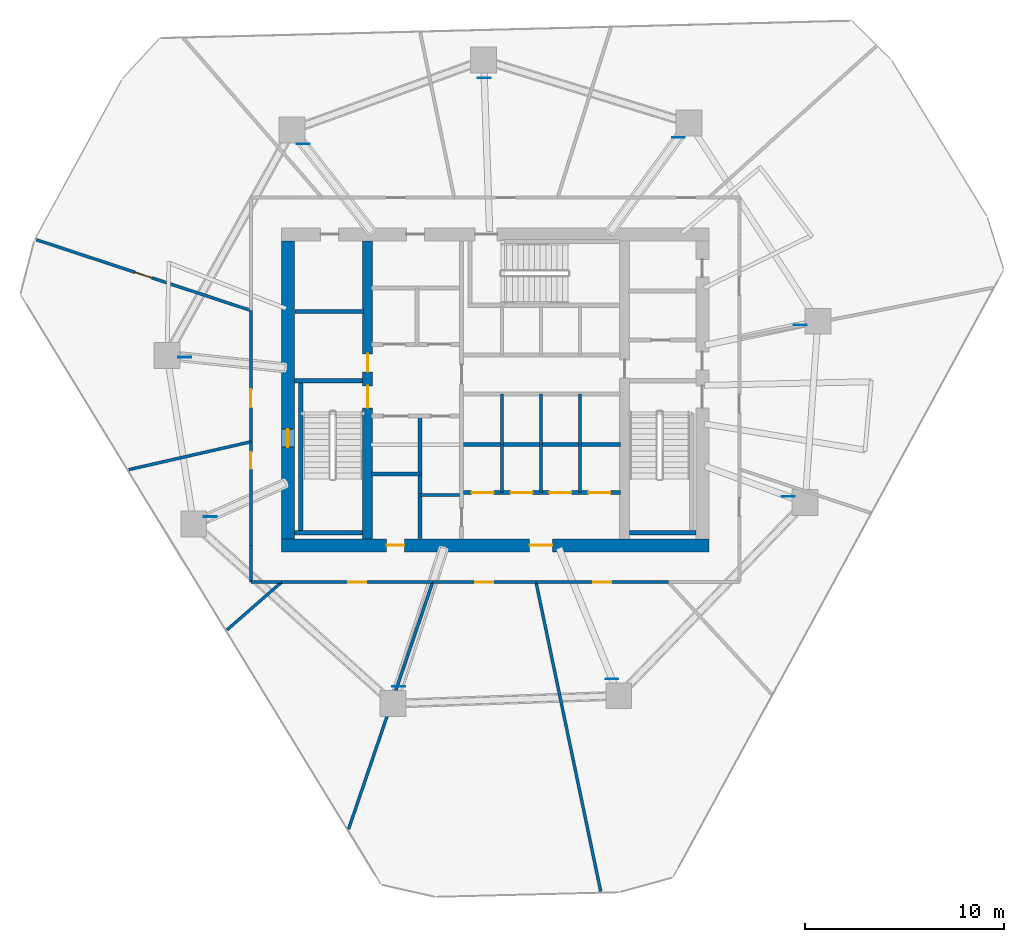
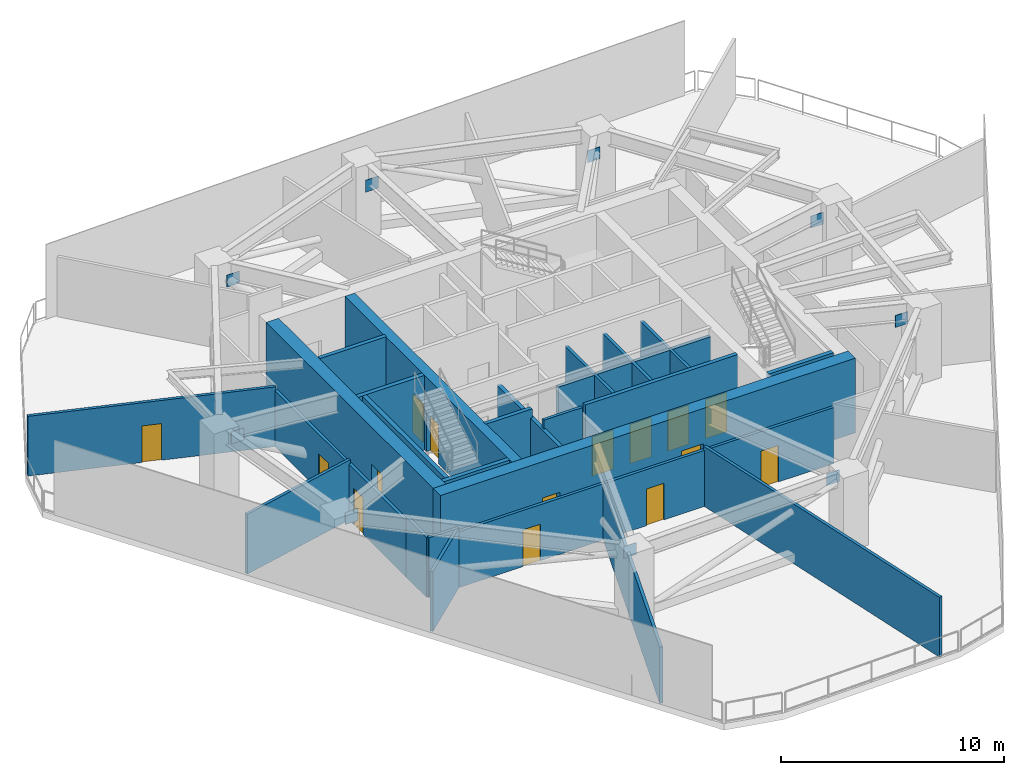
# One storey, part 3 of 7: 31 walls, 15 doors, 9 plates, 15 openings.
"""IFC4 building model written with IfcOpenShell, lengths in metres."""

import ifcopenshell
import ifcopenshell.guid

model = None  # the IFC model being written
_history = None  # IfcOwnerHistory: only IFC2X3 demands one
_inside = {}  # id of a spatial element -> (the spatial element, [elements in it])
_under = {}  # id of a project, library or spatial element -> (it, [spatial elements below it])
_declared = {}  # id of a project -> (the project, [libraries it declares])
_typed = {}  # id of a type object -> (the type object, [elements of that type])
_made_of = {}  # id of a material, layer set ... -> (it, [elements and type objects made of it])


def new_model(schema):
    """Start an empty IFC model of exactly this schema.

    Asked for "IFC4X3", IfcOpenShell would pick the latest addendum, in which some entities
    have other attributes; the version numbers below select the first issue.
    IFC2X3 requires an IfcOwnerHistory on every rooted entity: one is made here for all.
    """
    global model, _history
    if schema == "IFC4X3":
        model = ifcopenshell.file(schema_version=(4, 3, 0, 0))
    else:
        model = ifcopenshell.file(schema=schema)
    _inside.clear()
    _under.clear()
    _declared.clear()
    _typed.clear()
    _made_of.clear()
    _history = None
    if model.schema == "IFC2X3":
        org = make("IfcOrganization", Name="unknown")
        user = make(
            "IfcPersonAndOrganization",
            ThePerson=make("IfcPerson", FamilyName="unknown"),
            TheOrganization=org,
        )
        app = make(
            "IfcApplication",
            ApplicationDeveloper=org,
            Version="unknown",
            ApplicationFullName="unknown",
            ApplicationIdentifier="unknown",
        )
        _history = make(
            "IfcOwnerHistory",
            OwningUser=user,
            OwningApplication=app,
            ChangeAction="ADDED",
            CreationDate=0,
        )
    return model


def make(cls, **values):
    """One entity of the class cls with the attributes given. An attribute that is None is left unset."""
    return model.create_entity(
        cls, **{name: value for name, value in values.items() if value is not None}
    )


def rooted(cls, **values):
    """An entity with a GlobalId (a new one), such as an element, a storey or a relation."""
    return make(cls, GlobalId=ifcopenshell.guid.new(), OwnerHistory=_history, **values)


def si_unit(unit_type, name, prefix=None):
    """IfcSIUnit, for example si_unit("LENGTHUNIT", "METRE", prefix="MILLI")."""
    return make("IfcSIUnit", UnitType=unit_type, Prefix=prefix, Name=name)


def assignment(units):
    """IfcUnitAssignment: the units of a project."""
    return None if units is None else make("IfcUnitAssignment", Units=units)


def point(xyz):
    """IfcCartesianPoint."""
    return None if xyz is None else make("IfcCartesianPoint", Coordinates=xyz)


def direction(xyz):
    """IfcDirection."""
    return None if xyz is None else make("IfcDirection", DirectionRatios=xyz)


def frame(location, z_axis=None, x_axis=None):
    """IfcAxis2Placement3D, a coordinate frame: its origin and axes. An axis left out is left unset."""
    return make(
        "IfcAxis2Placement3D",
        Location=point(location),
        Axis=direction(z_axis),
        RefDirection=direction(x_axis),
    )


def frame_2d(location, x_axis=None):
    """IfcAxis2Placement2D, a coordinate frame in the plane: its origin and x axis."""
    return make(
        "IfcAxis2Placement2D", Location=point(location), RefDirection=direction(x_axis)
    )


def origin():
    """The frame at (0, 0, 0) with its axes left unset."""
    return frame((0.0, 0.0, 0.0))


def origin_2d():
    """The frame at (0, 0) in the plane with its x axis left unset."""
    return frame_2d((0.0, 0.0))


def place(relative_to, where):
    """IfcLocalPlacement: puts the frame where relative to a parent placement (None: the world)."""
    return make(
        "IfcLocalPlacement", PlacementRelTo=relative_to, RelativePlacement=where
    )


def context(
    kind, dimensions, precision=None, world=None, true_north=None, identifier=None
):
    """IfcGeometricRepresentationContext, for example the 3D "Model" context."""
    return make(
        "IfcGeometricRepresentationContext",
        ContextIdentifier=identifier,
        ContextType=kind,
        CoordinateSpaceDimension=dimensions,
        Precision=precision,
        WorldCoordinateSystem=world,
        TrueNorth=true_north,
    )


def subcontext(parent, identifier, kind, view, scale=None):
    """IfcGeometricRepresentationSubContext, for example "Body" below "Model"."""
    return make(
        "IfcGeometricRepresentationSubContext",
        ContextIdentifier=identifier,
        ContextType=kind,
        ParentContext=parent,
        TargetScale=scale,
        TargetView=view,
    )


def project(units=None, contexts=None):
    """IfcProject with its units and contexts."""
    return rooted(
        "IfcProject",
        Name="project",
        RepresentationContexts=contexts,
        UnitsInContext=assignment(units),
    )


def spatial(cls, under=None, at=None, **own):
    """A site, building, storey or space (cls), placed at a placement, below another one or the project."""
    s = rooted(cls, ObjectPlacement=at, **own)
    if under is not None:
        _under.setdefault(under.id(), (under, []))[1].append(s)
    return s


def profile(cls, at=None, kind="AREA", **sizes):
    """A parametric profile (cls). Its sizes go by their IFC names, for example OverallWidth=200.0."""
    return make(cls, ProfileType=kind, Position=at, **sizes)


def rectangle(**sizes):
    """IfcRectangleProfileDef."""
    return profile("IfcRectangleProfileDef", **sizes)


def extrude(swept, where, along, depth):
    """IfcExtrudedAreaSolid: the profile swept, set in the frame where, extruded along a direction by depth."""
    return make(
        "IfcExtrudedAreaSolid",
        SweptArea=swept,
        Position=where,
        ExtrudedDirection=direction(along),
        Depth=depth,
    )


def shape(context_of_items, identifier, shape_type, items):
    """IfcShapeRepresentation: the items that make up one representation, for example the "Body"."""
    return make(
        "IfcShapeRepresentation",
        ContextOfItems=context_of_items,
        RepresentationIdentifier=identifier,
        RepresentationType=shape_type,
        Items=items,
    )


def material(Name=None, Category=None):
    """IfcMaterial."""
    return make("IfcMaterial", Name=Name, Category=Category)


def layer(
    of_material, thickness, ventilated=None, Name=None, Category=None, Priority=None
):
    """IfcMaterialLayer: one layer of a wall or slab, of a material (None: an air gap)."""
    return make(
        "IfcMaterialLayer",
        Material=of_material,
        LayerThickness=thickness,
        IsVentilated=ventilated,
        Name=Name,
        Category=Category,
        Priority=Priority,
    )


def layer_set(layers, Name=None):
    """IfcMaterialLayerSet."""
    return make("IfcMaterialLayerSet", MaterialLayers=layers, LayerSetName=Name)


def made_of(thing, what):
    """Note that an element or type object is made of a material, layer set ...; save() writes the relation."""
    if what is not None:
        _made_of.setdefault(what.id(), (what, []))[1].append(thing)
    return thing


def type_object(cls, material=None, **own):
    """A type object (cls), such as IfcWallType, which elements share."""
    return made_of(rooted(cls, **own), material)


def element(
    cls,
    number,
    at=None,
    inside=None,
    cuts=None,
    type_object=None,
    material=None,
    context=None,
    identifier="Body",
    shape_type=None,
    held_by="IfcProductDefinitionShape",
    body=None,
    shapes=None,
    **own,
):
    """One element of the class cls, such as IfcWall. Its Tag is "e" and its number.

    at: its placement. inside: the storey or other place that contains it. cuts: it is an
    opening in that element (IfcRelVoidsElement). A single representation is given by context,
    identifier, shape_type and body (its items); several are given by shapes. held_by: the class
    of the entity that holds the representations. save() writes the other relations.
    """
    e = rooted(cls, Tag="e%d" % number, ObjectPlacement=at, **own)
    if body is not None:
        shapes = [shape(context, identifier, shape_type, body)]
    if shapes is not None:
        e.Representation = make(held_by, Representations=shapes)
    if inside is not None:
        _inside.setdefault(inside.id(), (inside, []))[1].append(e)
    if cuts is not None:
        rooted(
            "IfcRelVoidsElement", RelatingBuildingElement=cuts, RelatedOpeningElement=e
        )
    if type_object is not None:
        _typed.setdefault(type_object.id(), (type_object, []))[1].append(e)
    return made_of(e, material)


def fill(opening, filler):
    """IfcRelFillsElement: the door or window that sits in an opening."""
    return rooted(
        "IfcRelFillsElement",
        RelatingOpeningElement=opening,
        RelatedBuildingElement=filler,
    )


def aggregate(whole, parts):
    """IfcRelAggregates: a whole, such as a stair, and the parts it consists of."""
    return rooted("IfcRelAggregates", RelatingObject=whole, RelatedObjects=parts)


def save(model, path):
    """Write the relations noted so far, then the file.

    IfcRelAggregates (storeys below a building ...), IfcRelContainedInSpatialStructure (elements
    in a storey), IfcRelDefinesByType, IfcRelAssociatesMaterial and IfcRelDeclares: one each for
    every whole, place, type object, material and project.
    """
    for whole, parts in _under.values():
        aggregate(whole, parts)
    for where, things in _inside.values():
        rooted(
            "IfcRelContainedInSpatialStructure",
            RelatedElements=things,
            RelatingStructure=where,
        )
    for kind, things in _typed.values():
        rooted("IfcRelDefinesByType", RelatedObjects=things, RelatingType=kind)
    for what, things in _made_of.values():
        rooted("IfcRelAssociatesMaterial", RelatedObjects=things, RelatingMaterial=what)
    for by, libraries in _declared.values():
        rooted("IfcRelDeclares", RelatingContext=by, RelatedDefinitions=libraries)
    model.write(path)


model = new_model("IFC4")

# Units and contexts
model_context = context("Model", 3, precision=1e-05, world=origin(), true_north=direction((0.0, 1.0)))
body_context = subcontext(model_context, "Body", "Model", "MODEL_VIEW")
ifc_project = project(units=[si_unit("LENGTHUNIT", "METRE"), si_unit("AREAUNIT", "SQUARE_METRE"), si_unit("VOLUMEUNIT", "CUBIC_METRE"), si_unit("PLANEANGLEUNIT", "RADIAN"), si_unit("MASSUNIT", "GRAM", prefix="KILO")], contexts=[model_context])

# Site, building, storey
site_placement = place(None, origin())
site = spatial("IfcSite", under=ifc_project, at=site_placement, CompositionType="ELEMENT")
building_placement = place(site_placement, origin())
building = spatial("IfcBuilding", under=site, at=building_placement, Name="Qarnah Convention Tower", CompositionType="ELEMENT")
storey_placement = place(building_placement, frame((0.0, 0.0, 71.85009765625)))
storey = spatial("IfcBuildingStorey", under=building, at=storey_placement, Name="L18", CompositionType="ELEMENT", Elevation=71.85009765625)

# Plates
ifc_material_1 = material(Name="Structural steel S355JR", Category="steel")
ifc_layer_1 = layer(ifc_material_1, 0.028076171875)
ifc_layer_set_1 = layer_set([ifc_layer_1], Name="Structural steel S355JR")
plate_type = type_object("IfcPlateType", Name="PLT-FLANGE-28", PredefinedType="USERDEFINED", material=ifc_layer_set_1)
for number, where, z_axis, x_axis, name in (
    (1, (52.508056640625, 29.654052734375, 2.794921875), (0.0, 0.0, 1.0), (1.0, 0.0, 0.0), "L18 outrigger node flange plate 01"),
    (2, (46.39892578125, 39.06103515625, 2.794921875), (0.0, 0.0, 1.0), (1.0, 0.0, 0.0), "L18 outrigger node flange plate 02"),
    (3, (36.654052734375, 42.0400390625, 2.794921875), (0.0, 0.0, 1.0), (1.0, 0.0, 0.0), "L18 outrigger node flange plate 03"),
    (4, (27.56494140625, 38.73193359375, 2.794921875), (0.0, 0.0, 1.0), (1.0, 0.0, 0.0), "L18 outrigger node flange plate 04"),
    (5, (21.635986328125, 28.035888671875, 2.794921875), (0.0, 0.0, 1.0), (1.0, 0.0, 0.0), "L18 outrigger node flange plate 05"),
    (6, (22.903076171875, 20.034912109375, 2.794921875), (0.0, 0.0, 1.0), (1.0, 0.0, 0.0), "L18 outrigger node flange plate 06"),
    (7, (32.364013671875, 11.51611328125, 2.794921875), (0.0, 0.0, 1.0), (1.0, 0.0, 0.0), "L18 outrigger node flange plate 07"),
    (8, (43.06298828125, 11.889892578125, 2.794921875), (0.0, 0.0, 1.0), (1.0, 0.0, 0.0), "L18 outrigger node flange plate 08"),
    (9, (51.906005859375, 21.047119140625, 2.794921875), (0.0, 0.0, 1.0), (1.0, 0.0, 0.0), "L18 outrigger node flange plate 09"),
):
    element("IfcPlate", number, at=place(storey_placement, frame(where, z_axis=z_axis, x_axis=x_axis)), inside=storey, type_object=plate_type, Name=name, ObjectType="FLANGE_PLATE", PredefinedType="USERDEFINED", context=body_context, shape_type="SweptSolid", body=[
        extrude(rectangle(XDim=0.64990234375, YDim=0.028076171875, at=origin_2d()), origin(), (0.0, 0.0, 1.0), 0.64990234375),
    ])

# Wall, openings, doors
ifc_material_2 = material(Name="Concrete C60/75", Category="concrete")
ifc_layer_2 = layer(ifc_material_2, 0.64990234375)
ifc_layer_set_2 = layer_set([ifc_layer_2], Name="Concrete C60/75")
wall_type_1 = type_object("IfcWallType", Name="WL-CORE-650", PredefinedType="SHEAR", material=ifc_layer_set_2)
wall_1_placement = place(storey_placement, frame((26.47509765625, 18.60009765625, 0.0), z_axis=(0.0, 0.0, 1.0), x_axis=(1.0, 0.0, 0.0)))
wall_1 = element("IfcWall", 10, at=wall_1_placement, inside=storey, type_object=wall_type_1, Name="L18 core south shear wall", PredefinedType="SHEAR", context=body_context, shape_type="SweptSolid", body=[
    extrude(rectangle(XDim=21.449951171875, YDim=0.64990234375, at=frame_2d((10.72509765625, 0.0))), origin(), (0.0, 0.0, 1.0), 4.079833984375),
])
opening_1_placement = place(wall_1_placement, frame((12.449951171875, 0.0, 0.0)))
opening_1 = element("IfcOpeningElement", 11, at=opening_1_placement, cuts=wall_1, Name="Opening D-1807", PredefinedType="OPENING", context=body_context, shape_type="SweptSolid", body=[
    extrude(rectangle(XDim=1.14990234375, YDim=2.14990234375, at=frame_2d((0.574951171875, 1.074951171875))), frame((0.0, 0.3349609375, 0.0), z_axis=(0.0, -1.0, 0.0), x_axis=(1.0, 0.0, 0.0)), (0.0, 0.0, 1.0), 0.669921875),
])
opening_2_placement = place(wall_1_placement, frame((5.27490234375, 0.0, 0.0)))
opening_2 = element("IfcOpeningElement", 12, at=opening_2_placement, cuts=wall_1, Name="Opening D-1813", PredefinedType="OPENING", context=body_context, shape_type="SweptSolid", body=[
    extrude(rectangle(XDim=0.89990234375, YDim=2.10009765625, at=frame_2d((0.449951171875, 1.050048828125))), frame((0.0, 0.3349609375, 0.0), z_axis=(0.0, -1.0, 0.0), x_axis=(1.0, 0.0, 0.0)), (0.0, 0.0, 1.0), 0.669921875),
])
door_type_1 = type_object("IfcDoorType", Name="DT-LOBBY-1150", OperationType="NOTDEFINED", PredefinedType="DOOR", material=ifc_material_1)
door_1_placement = place(opening_1_placement, origin())
door_1 = element("IfcDoor", 13, at=door_1_placement, inside=storey, type_object=door_type_1, Name="Door D-1807", OperationType="SINGLE_SWING_RIGHT", OverallHeight=2.14990234375, OverallWidth=1.14990234375, PredefinedType="DOOR", context=body_context, shape_type="SweptSolid", body=[
    extrude(rectangle(XDim=1.14990234375, YDim=2.14990234375, at=frame_2d((0.574951171875, 1.074951171875))), frame((0.0, 0.02490234375, 0.0), z_axis=(0.0, -1.0, 0.0), x_axis=(1.0, 0.0, 0.0)), (0.0, 0.0, 1.0), 0.050048828125),
])
fill(opening_1, door_1)
door_type_2 = type_object("IfcDoorType", Name="DT-RISER-900", OperationType="NOTDEFINED", PredefinedType="DOOR", material=ifc_material_1)
door_2_placement = place(opening_2_placement, origin())
door_2 = element("IfcDoor", 14, at=door_2_placement, inside=storey, type_object=door_type_2, Name="Door D-1813", OperationType="SINGLE_SWING_RIGHT", OverallHeight=2.10009765625, OverallWidth=0.89990234375, PredefinedType="DOOR", context=body_context, shape_type="SweptSolid", body=[
    extrude(rectangle(XDim=0.89990234375, YDim=2.10009765625, at=frame_2d((0.449951171875, 1.050048828125))), frame((0.0, 0.02490234375, 0.0), z_axis=(0.0, -1.0, 0.0), x_axis=(1.0, 0.0, 0.0)), (0.0, 0.0, 1.0), 0.050048828125),
])
fill(opening_2, door_2)

# Wall, opening, door
wall_2_placement = place(storey_placement, frame((26.800048828125, 18.925048828125, 0.0), z_axis=(0.0, 0.0, 1.0), x_axis=(0.0, 1.0, 0.0)))
wall_2 = element("IfcWall", 15, at=wall_2_placement, inside=storey, type_object=wall_type_1, Name="L18 core west shear wall", PredefinedType="SHEAR", context=body_context, shape_type="SweptSolid", body=[
    extrude(rectangle(XDim=14.949951171875, YDim=0.64990234375, at=frame_2d((7.47509765625, 0.0))), origin(), (0.0, 0.0, 1.0), 4.079833984375),
])
opening_3_placement = place(wall_2_placement, frame((4.60009765625, 0.0, 0.02001953125)))
opening_3 = element("IfcOpeningElement", 16, at=opening_3_placement, cuts=wall_2, Name="Opening HT-1801", PredefinedType="OPENING", context=body_context, shape_type="SweptSolid", body=[
    extrude(rectangle(XDim=0.89990234375, YDim=2.02001953125, at=frame_2d((0.449951171875, 1.010009765625))), frame((0.0, 0.3349609375, 0.0), z_axis=(0.0, -1.0, 0.0), x_axis=(1.0, 0.0, 0.0)), (0.0, 0.0, 1.0), 0.669921875),
])
door_type_3 = type_object("IfcDoorType", Name="DT-HATCH-900", OperationType="NOTDEFINED", PredefinedType="TRAPDOOR", material=ifc_material_1)
door_3_placement = place(opening_3_placement, origin())
door_3 = element("IfcDoor", 17, at=door_3_placement, inside=storey, type_object=door_type_3, Name="L18 mechanical plenum access trapdoor", OperationType="SINGLE_SWING_LEFT", OverallHeight=2.02001953125, OverallWidth=0.89990234375, PredefinedType="TRAPDOOR", context=body_context, shape_type="SweptSolid", body=[
    extrude(rectangle(XDim=0.89990234375, YDim=2.02001953125, at=frame_2d((0.449951171875, 1.010009765625))), frame((0.0, 0.02490234375, 0.0), z_axis=(0.0, -1.0, 0.0), x_axis=(1.0, 0.0, 0.0)), (0.0, 0.0, 1.0), 0.050048828125),
])
fill(opening_3, door_3)

# Wall, openings, doors
ifc_layer_3 = layer(ifc_material_2, 0.5)
ifc_layer_set_3 = layer_set([ifc_layer_3], Name="Concrete C60/75")
wall_type_2 = type_object("IfcWallType", Name="WL-CORE-INT-400", PredefinedType="SHEAR", material=ifc_layer_set_3)
wall_3_placement = place(storey_placement, frame((30.800048828125, 18.925048828125, 0.0), z_axis=(0.0, 0.0, 1.0), x_axis=(0.0, 1.0, 0.0)))
wall_3 = element("IfcWall", 18, at=wall_3_placement, inside=storey, type_object=wall_type_2, Name="L18 core west spine shear wall", PredefinedType="SHEAR", context=body_context, shape_type="SweptSolid", body=[
    extrude(rectangle(XDim=14.949951171875, YDim=0.5, at=frame_2d((7.47509765625, 0.0))), origin(), (0.0, 0.0, 1.0), 4.079833984375),
])
opening_4_placement = place(wall_3_placement, frame((6.574951171875, 0.0, 0.0)))
opening_4 = element("IfcOpeningElement", 19, at=opening_4_placement, cuts=wall_3, Name="Opening D-1801", PredefinedType="OPENING", context=body_context, shape_type="SweptSolid", body=[
    extrude(rectangle(XDim=1.10009765625, YDim=2.14990234375, at=frame_2d((0.550048828125, 1.074951171875))), frame((0.0, 0.260009765625, 0.0), z_axis=(0.0, -1.0, 0.0), x_axis=(1.0, 0.0, 0.0)), (0.0, 0.0, 1.0), 0.52001953125),
])
opening_5_placement = place(wall_3_placement, frame((8.375, 0.0, 0.0)))
opening_5 = element("IfcOpeningElement", 20, at=opening_5_placement, cuts=wall_3, Name="Opening D-1808", PredefinedType="OPENING", context=body_context, shape_type="SweptSolid", body=[
    extrude(rectangle(XDim=0.89990234375, YDim=2.10009765625, at=frame_2d((0.449951171875, 1.050048828125))), frame((0.0, 0.260009765625, 0.0), z_axis=(0.0, -1.0, 0.0), x_axis=(1.0, 0.0, 0.0)), (0.0, 0.0, 1.0), 0.52001953125),
])
door_4_placement = place(opening_5_placement, origin())
door_4 = element("IfcDoor", 21, at=door_4_placement, inside=storey, type_object=door_type_2, Name="Door D-1808", OperationType="SINGLE_SWING_LEFT", OverallHeight=2.10009765625, OverallWidth=0.89990234375, PredefinedType="DOOR", context=body_context, shape_type="SweptSolid", body=[
    extrude(rectangle(XDim=0.89990234375, YDim=2.10009765625, at=frame_2d((0.449951171875, 1.050048828125))), frame((0.0, 0.02490234375, 0.0), z_axis=(0.0, -1.0, 0.0), x_axis=(1.0, 0.0, 0.0)), (0.0, 0.0, 1.0), 0.050048828125),
])
fill(opening_5, door_4)
door_type_4 = type_object("IfcDoorType", Name="DT-STAIR-1100", OperationType="NOTDEFINED", PredefinedType="DOOR", material=ifc_material_1)
door_5_placement = place(opening_4_placement, origin())
door_5 = element("IfcDoor", 22, at=door_5_placement, inside=storey, type_object=door_type_4, Name="Door D-1801", OperationType="SINGLE_SWING_RIGHT", OverallHeight=2.14990234375, OverallWidth=1.10009765625, PredefinedType="DOOR", context=body_context, shape_type="SweptSolid", body=[
    extrude(rectangle(XDim=1.10009765625, YDim=2.14990234375, at=frame_2d((0.550048828125, 1.074951171875))), frame((0.0, 0.02490234375, 0.0), z_axis=(0.0, -1.0, 0.0), x_axis=(1.0, 0.0, 0.0)), (0.0, 0.0, 1.0), 0.050048828125),
])
fill(opening_4, door_5)

# Walls
ifc_material_3 = material(Name="Concrete C45/55", Category="concrete")
ifc_layer_4 = layer(ifc_material_3, 0.199951171875)
ifc_layer_set_4 = layer_set([ifc_layer_4], Name="Concrete C45/55")
wall_type_3 = type_object("IfcWallType", Name="WL-CORE-PART-200", PredefinedType="SOLIDWALL", material=ifc_layer_set_4)
wall_4_placement = place(storey_placement, frame((27.14990234375, 30.320068359375, 0.0), z_axis=(0.0, 0.0, 1.0), x_axis=(1.0, 0.0, 0.0)))
element("IfcWall", 23, at=wall_4_placement, inside=storey, type_object=wall_type_3, Name="L18 interior wall IW-L18-ELRN", PredefinedType="SOLIDWALL", context=body_context, shape_type="SweptSolid", body=[
    extrude(rectangle(XDim=3.4501953125, YDim=0.199951171875, at=frame_2d((1.72509765625, 0.0))), origin(), (0.0, 0.0, 1.0), 4.079833984375),
])
wall_5_placement = place(storey_placement, frame((33.419921875, 18.949951171875, 0.0), z_axis=(0.0, 0.0, 1.0), x_axis=(0.0, 1.0, 0.0)))
element("IfcWall", 24, at=wall_5_placement, inside=storey, type_object=wall_type_3, Name="L18 interior wall IW-L18-SVLE", PredefinedType="SOLIDWALL", context=body_context, shape_type="SweptSolid", body=[
    extrude(rectangle(XDim=6.130126953125, YDim=0.199951171875, at=frame_2d((3.06494140625, 0.0))), origin(), (0.0, 0.0, 1.0), 3.600830078125),
])
wall_6_placement = place(storey_placement, frame((31.0, 22.179931640625, 0.0), z_axis=(0.0, 0.0, 1.0), x_axis=(1.0, 0.0, 0.0)))
element("IfcWall", 25, at=wall_6_placement, inside=storey, type_object=wall_type_3, Name="L18 interior wall IW-L18-SVLS", PredefinedType="SOLIDWALL", context=body_context, shape_type="SweptSolid", body=[
    extrude(rectangle(XDim=2.419921875, YDim=0.199951171875, at=frame_2d((1.2099609375, 0.0))), origin(), (0.0, 0.0, 1.0), 4.079833984375),
])
wall_7_placement = place(storey_placement, frame((35.6201171875, 23.64990234375, 0.0), z_axis=(0.0, 0.0, 1.0), x_axis=(1.0, 0.0, 0.0)))
element("IfcWall", 26, at=wall_7_placement, inside=storey, type_object=wall_type_3, Name="L18 interior wall IW-L18-PMPL", PredefinedType="SOLIDWALL", context=body_context, shape_type="SweptSolid", body=[
    extrude(rectangle(XDim=7.8798828125, YDim=0.199951171875, at=frame_2d((3.93994140625, 0.0))), origin(), (0.0, 0.0, 1.0), 3.600830078125),
])

# Wall, openings, doors
wall_8_placement = place(storey_placement, frame((35.6201171875, 21.25, 0.0), z_axis=(0.0, 0.0, 1.0), x_axis=(1.0, 0.0, 0.0)))
wall_8 = element("IfcWall", 27, at=wall_8_placement, inside=storey, type_object=wall_type_3, Name="L18 interior wall IW-L18-PLS", PredefinedType="SOLIDWALL", context=body_context, shape_type="SweptSolid", body=[
    extrude(rectangle(XDim=7.8798828125, YDim=0.199951171875, at=frame_2d((3.93994140625, 0.0))), origin(), (0.0, 0.0, 1.0), 4.079833984375),
])
opening_6_placement = place(wall_8_placement, frame((0.405029296875, 0.0, 0.0)))
opening_6 = element("IfcOpeningElement", 28, at=opening_6_placement, cuts=wall_8, Name="Opening LD-1804", PredefinedType="OPENING", context=body_context, shape_type="SweptSolid", body=[
    extrude(rectangle(XDim=1.10009765625, YDim=2.14990234375, at=frame_2d((0.550048828125, 1.074951171875))), frame((0.0, 0.10986328125, 0.0), z_axis=(0.0, -1.0, 0.0), x_axis=(1.0, 0.0, 0.0)), (0.0, 0.0, 1.0), 0.219970703125),
])
opening_7_placement = place(wall_8_placement, frame((2.35498046875, 0.0, 0.0)))
opening_7 = element("IfcOpeningElement", 29, at=opening_7_placement, cuts=wall_8, Name="Opening LD-1805", PredefinedType="OPENING", context=body_context, shape_type="SweptSolid", body=[
    extrude(rectangle(XDim=1.10009765625, YDim=2.14990234375, at=frame_2d((0.550048828125, 1.074951171875))), frame((0.0, 0.10986328125, 0.0), z_axis=(0.0, -1.0, 0.0), x_axis=(1.0, 0.0, 0.0)), (0.0, 0.0, 1.0), 0.219970703125),
])
opening_8_placement = place(wall_8_placement, frame((4.304931640625, 0.0, 0.0)))
opening_8 = element("IfcOpeningElement", 30, at=opening_8_placement, cuts=wall_8, Name="Opening LD-1806", PredefinedType="OPENING", context=body_context, shape_type="SweptSolid", body=[
    extrude(rectangle(XDim=1.10009765625, YDim=2.14990234375, at=frame_2d((0.550048828125, 1.074951171875))), frame((0.0, 0.10986328125, 0.0), z_axis=(0.0, -1.0, 0.0), x_axis=(1.0, 0.0, 0.0)), (0.0, 0.0, 1.0), 0.219970703125),
])
opening_9_placement = place(wall_8_placement, frame((6.2548828125, 0.0, 0.0)))
opening_9 = element("IfcOpeningElement", 31, at=opening_9_placement, cuts=wall_8, Name="Opening LD-1807", PredefinedType="OPENING", context=body_context, shape_type="SweptSolid", body=[
    extrude(rectangle(XDim=1.10009765625, YDim=2.14990234375, at=frame_2d((0.550048828125, 1.074951171875))), frame((0.0, 0.10986328125, 0.0), z_axis=(0.0, -1.0, 0.0), x_axis=(1.0, 0.0, 0.0)), (0.0, 0.0, 1.0), 0.219970703125),
])
door_type_5 = type_object("IfcDoorType", Name="DT-LIFT-1100", OperationType="SLIDING_TO_LEFT", PredefinedType="DOOR", material=ifc_material_1)
door_6_placement = place(opening_6_placement, origin())
door_6 = element("IfcDoor", 32, at=door_6_placement, inside=storey, type_object=door_type_5, Name="Door LD-1804", OperationType="SLIDING_TO_LEFT", OverallHeight=2.14990234375, OverallWidth=1.10009765625, PredefinedType="DOOR", context=body_context, shape_type="SweptSolid", body=[
    extrude(rectangle(XDim=1.10009765625, YDim=2.14990234375, at=frame_2d((0.550048828125, 1.074951171875))), frame((0.0, 0.02490234375, 0.0), z_axis=(0.0, -1.0, 0.0), x_axis=(1.0, 0.0, 0.0)), (0.0, 0.0, 1.0), 0.050048828125),
])
fill(opening_6, door_6)
door_7_placement = place(opening_7_placement, origin())
door_7 = element("IfcDoor", 33, at=door_7_placement, inside=storey, type_object=door_type_5, Name="Door LD-1805", OperationType="SLIDING_TO_LEFT", OverallHeight=2.14990234375, OverallWidth=1.10009765625, PredefinedType="DOOR", context=body_context, shape_type="SweptSolid", body=[
    extrude(rectangle(XDim=1.10009765625, YDim=2.14990234375, at=frame_2d((0.550048828125, 1.074951171875))), frame((0.0, 0.02490234375, 0.0), z_axis=(0.0, -1.0, 0.0), x_axis=(1.0, 0.0, 0.0)), (0.0, 0.0, 1.0), 0.050048828125),
])
fill(opening_7, door_7)
door_8_placement = place(opening_8_placement, origin())
door_8 = element("IfcDoor", 34, at=door_8_placement, inside=storey, type_object=door_type_5, Name="Door LD-1806", OperationType="SLIDING_TO_LEFT", OverallHeight=2.14990234375, OverallWidth=1.10009765625, PredefinedType="DOOR", context=body_context, shape_type="SweptSolid", body=[
    extrude(rectangle(XDim=1.10009765625, YDim=2.14990234375, at=frame_2d((0.550048828125, 1.074951171875))), frame((0.0, 0.02490234375, 0.0), z_axis=(0.0, -1.0, 0.0), x_axis=(1.0, 0.0, 0.0)), (0.0, 0.0, 1.0), 0.050048828125),
])
fill(opening_8, door_8)
door_9_placement = place(opening_9_placement, origin())
door_9 = element("IfcDoor", 35, at=door_9_placement, inside=storey, type_object=door_type_5, Name="Door LD-1807", OperationType="SLIDING_TO_LEFT", OverallHeight=2.14990234375, OverallWidth=1.10009765625, PredefinedType="DOOR", context=body_context, shape_type="SweptSolid", body=[
    extrude(rectangle(XDim=1.10009765625, YDim=2.14990234375, at=frame_2d((0.550048828125, 1.074951171875))), frame((0.0, 0.02490234375, 0.0), z_axis=(0.0, -1.0, 0.0), x_axis=(1.0, 0.0, 0.0)), (0.0, 0.0, 1.0), 0.050048828125),
])
fill(opening_9, door_9)

# Walls
ifc_layer_5 = layer(ifc_material_2, 0.219970703125)
ifc_layer_set_5 = layer_set([ifc_layer_5], Name="Concrete C60/75")
wall_type_4 = type_object("IfcWallType", Name="WL-CORE-STAIR-220", PredefinedType="SHEAR", material=ifc_layer_set_5)
wall_9_placement = place(storey_placement, frame((27.125, 26.860107421875, 0.0), z_axis=(0.0, 0.0, 1.0), x_axis=(1.0, 0.0, 0.0)))
element("IfcWall", 36, at=wall_9_placement, inside=storey, type_object=wall_type_4, Name="L18 stair shaft shear wall SW-L18-ST1N", PredefinedType="SHEAR", context=body_context, shape_type="SweptSolid", body=[
    extrude(rectangle(XDim=3.425048828125, YDim=0.219970703125, at=frame_2d((1.71240234375, 0.0))), origin(), (0.0, 0.0, 1.0), 4.079833984375),
])
wall_10_placement = place(storey_placement, frame((27.43994140625, 19.35009765625, 0.0), z_axis=(0.0, 0.0, 1.0), x_axis=(0.0, 1.0, 0.0)))
element("IfcWall", 37, at=wall_10_placement, inside=storey, type_object=wall_type_4, Name="L18 stair shaft shear wall SW-L18-ST1W", PredefinedType="SHEAR", context=body_context, shape_type="SweptSolid", body=[
    extrude(rectangle(XDim=7.39990234375, YDim=0.219970703125, at=frame_2d((3.699951171875, 0.0))), origin(), (0.0, 0.0, 1.0), 4.079833984375),
])
wall_11_placement = place(storey_placement, frame((27.125, 19.239990234375, 0.0), z_axis=(0.0, 0.0, 1.0), x_axis=(1.0, 0.0, 0.0)))
element("IfcWall", 38, at=wall_11_placement, inside=storey, type_object=wall_type_4, Name="L18 stair shaft shear wall SW-L18-ST1S", PredefinedType="SHEAR", context=body_context, shape_type="SweptSolid", body=[
    extrude(rectangle(XDim=3.425048828125, YDim=0.219970703125, at=frame_2d((1.71240234375, 0.0))), origin(), (0.0, 0.0, 1.0), 4.079833984375),
])
wall_12_placement = place(storey_placement, frame((43.949951171875, 19.239990234375, 0.0), z_axis=(0.0, 0.0, 1.0), x_axis=(1.0, 0.0, 0.0)))
element("IfcWall", 39, at=wall_12_placement, inside=storey, type_object=wall_type_4, Name="L18 stair shaft shear wall SW-L18-ST2S", PredefinedType="SHEAR", context=body_context, shape_type="SweptSolid", body=[
    extrude(rectangle(XDim=3.324951171875, YDim=0.219970703125, at=frame_2d((1.66259765625, 0.0))), origin(), (0.0, 0.0, 1.0), 4.079833984375),
])
ifc_material_4 = material(Name="Gypsum partition board")
ifc_layer_6 = layer(ifc_material_4, 0.14990234375)
ifc_layer_set_6 = layer_set([ifc_layer_6], Name="Gypsum partition board")
wall_type_5 = type_object("IfcWallType", Name="WL-SUITE-150", PredefinedType="PARTITIONING", material=ifc_layer_set_6)
wall_13_placement = place(storey_placement, frame((33.419921875, 21.1201171875, 0.0), z_axis=(0.0, 0.0, 1.0), x_axis=(1.0, 0.0, 0.0)))
element("IfcWall", 40, at=wall_13_placement, inside=storey, type_object=wall_type_5, Name="L18 interior wall IW-L18-CSV1", PredefinedType="PARTITIONING", context=body_context, shape_type="SweptSolid", body=[
    extrude(rectangle(XDim=2.0, YDim=0.14990234375, at=frame_2d((1.0, 0.0))), origin(), (0.0, 0.0, 1.0), 4.079833984375),
])
for number, where, z_axis, x_axis, name in (
    (41, (37.550048828125, 23.64990234375, 0.0), (0.0, 0.0, 1.0), (0.0, 1.0, 0.0), "L18 interior wall IW-L18-PMD1"),
    (42, (39.5, 23.64990234375, 0.0), (0.0, 0.0, 1.0), (0.0, 1.0, 0.0), "L18 interior wall IW-L18-PMD2"),
    (43, (41.449951171875, 23.64990234375, 0.0), (0.0, 0.0, 1.0), (0.0, 1.0, 0.0), "L18 interior wall IW-L18-PMD3"),
):
    element("IfcWall", number, at=place(storey_placement, frame(where, z_axis=z_axis, x_axis=x_axis)), inside=storey, type_object=wall_type_5, Name=name, PredefinedType="PARTITIONING", context=body_context, shape_type="SweptSolid", body=[
        extrude(rectangle(XDim=2.550048828125, YDim=0.14990234375, at=frame_2d((1.27490234375, 0.0))), origin(), (0.0, 0.0, 1.0), 3.600830078125),
    ])
for number, where, z_axis, x_axis, name in (
    (44, (37.550048828125, 21.25, 0.0), (0.0, 0.0, 1.0), (0.0, 1.0, 0.0), "L18 interior wall IW-L18-PLD1"),
    (45, (39.5, 21.25, 0.0), (0.0, 0.0, 1.0), (0.0, 1.0, 0.0), "L18 interior wall IW-L18-PLD2"),
    (46, (41.449951171875, 21.25, 0.0), (0.0, 0.0, 1.0), (0.0, 1.0, 0.0), "L18 interior wall IW-L18-PLD3"),
):
    element("IfcWall", number, at=place(storey_placement, frame(where, z_axis=z_axis, x_axis=x_axis)), inside=storey, type_object=wall_type_5, Name=name, PredefinedType="PARTITIONING", context=body_context, shape_type="SweptSolid", body=[
        extrude(rectangle(XDim=2.39990234375, YDim=0.14990234375, at=frame_2d((1.199951171875, 0.0))), origin(), (0.0, 0.0, 1.0), 3.600830078125),
    ])

# Wall, opening, door
wall_14_placement = place(storey_placement, frame((14.179931640625, 33.93310546875, 0.0), z_axis=(0.0, 0.0, 1.0), x_axis=(0.949651837429, -0.313307177811, 0.0)))
wall_14 = element("IfcWall", 47, at=wall_14_placement, inside=storey, type_object=wall_type_5, Name="L18 interior wall IW-L18-R-12", PredefinedType="PARTITIONING", context=body_context, shape_type="SweptSolid", body=[
    extrude(rectangle(XDim=11.341064453125, YDim=0.14990234375, at=frame_2d((5.67041015625, 0.0))), origin(), (0.0, 0.0, 1.0), 3.264892578125),
])
opening_10_placement = place(wall_14_placement, frame((5.219970703125, 0.0, 0.0)))
opening_10 = element("IfcOpeningElement", 48, at=opening_10_placement, cuts=wall_14, Name="Opening D-1820", PredefinedType="OPENING", context=body_context, shape_type="SweptSolid", body=[
    extrude(rectangle(XDim=0.89990234375, YDim=2.0, at=frame_2d((0.449951171875, 1.0))), frame((0.0, 0.0849609375, 0.0), z_axis=(0.0, -1.0, 0.0), x_axis=(1.0, 0.0, 0.0)), (0.0, 0.0, 1.0), 0.169921875),
])
door_type_6 = type_object("IfcDoorType", Name="DT-PLANT-900", OperationType="NOTDEFINED", PredefinedType="DOOR", material=ifc_material_1)
door_10_placement = place(opening_10_placement, origin())
door_10 = element("IfcDoor", 49, at=door_10_placement, inside=storey, type_object=door_type_6, Name="Door D-1820", OperationType="SINGLE_SWING_LEFT", OverallHeight=2.0, OverallWidth=0.89990234375, PredefinedType="DOOR", context=body_context, shape_type="SweptSolid", body=[
    extrude(rectangle(XDim=0.89990234375, YDim=2.0, at=frame_2d((0.449951171875, 1.0))), frame((0.0, 0.02490234375, 0.0), z_axis=(0.0, -1.0, 0.0), x_axis=(1.0, 0.0, 0.0)), (0.0, 0.0, 1.0), 0.050048828125),
])
fill(opening_10, door_10)

# Wall
wall_15_placement = place(storey_placement, frame((18.827880859375, 22.39990234375, 0.0), z_axis=(0.0, 0.0, 1.0), x_axis=(0.974973721183, 0.222320136295, 0.0)))
element("IfcWall", 50, at=wall_15_placement, inside=storey, type_object=wall_type_5, Name="L18 interior wall IW-L18-R-16", PredefinedType="PARTITIONING", context=body_context, shape_type="SweptSolid", body=[
    extrude(rectangle(XDim=6.279296875, YDim=0.14990234375, at=frame_2d((3.1396484375, 0.0))), origin(), (0.0, 0.0, 1.0), 3.264892578125),
])

# Wall, opening, door
wall_16_placement = place(storey_placement, frame((24.949951171875, 23.7958984375, 0.0), z_axis=(0.0, 0.0, 1.0), x_axis=(0.0, 1.0, 0.0)))
wall_16 = element("IfcWall", 51, at=wall_16_placement, inside=storey, type_object=wall_type_5, Name="L18 interior wall IW-L18-R-17", PredefinedType="PARTITIONING", context=body_context, shape_type="SweptSolid", body=[
    extrude(rectangle(XDim=6.583984375, YDim=0.14990234375, at=frame_2d((3.2919921875, 0.0))), origin(), (0.0, 0.0, 1.0), 3.06494140625),
])
opening_11_placement = place(wall_16_placement, frame((1.72705078125, 0.0, 0.0)))
opening_11 = element("IfcOpeningElement", 52, at=opening_11_placement, cuts=wall_16, Name="Opening D-1821", PredefinedType="OPENING", context=body_context, shape_type="SweptSolid", body=[
    extrude(rectangle(XDim=0.89990234375, YDim=2.0, at=frame_2d((0.449951171875, 1.0))), frame((0.0, 0.0849609375, 0.0), z_axis=(0.0, -1.0, 0.0), x_axis=(1.0, 0.0, 0.0)), (0.0, 0.0, 1.0), 0.169921875),
])
door_11_placement = place(opening_11_placement, origin())
door_11 = element("IfcDoor", 53, at=door_11_placement, inside=storey, type_object=door_type_6, Name="Door D-1821", OperationType="SINGLE_SWING_RIGHT", OverallHeight=2.0, OverallWidth=0.89990234375, PredefinedType="DOOR", context=body_context, shape_type="SweptSolid", body=[
    extrude(rectangle(XDim=0.89990234375, YDim=2.0, at=frame_2d((0.449951171875, 1.0))), frame((0.0, 0.02490234375, 0.0), z_axis=(0.0, -1.0, 0.0), x_axis=(1.0, 0.0, 0.0)), (0.0, 0.0, 1.0), 0.050048828125),
])
fill(opening_11, door_11)

# Walls
wall_17_placement = place(storey_placement, frame((23.7490234375, 14.35791015625, 0.0), z_axis=(0.0, 0.0, 1.0), x_axis=(0.752585021189, 0.658495091767, 0.0)))
element("IfcWall", 54, at=wall_17_placement, inside=storey, type_object=wall_type_5, Name="L18 interior wall IW-L18-R-18", PredefinedType="PARTITIONING", context=body_context, shape_type="SweptSolid", body=[
    extrude(rectangle(XDim=3.632568359375, YDim=0.14990234375, at=frame_2d((1.81640625, 0.0))), origin(), (0.0, 0.0, 1.0), 3.264892578125),
])
wall_18_placement = place(storey_placement, frame((26.48291015625, 16.75, 0.0), z_axis=(0.0, 0.0, 1.0), x_axis=(-1.0, 0.0, 0.0)))
element("IfcWall", 55, at=wall_18_placement, inside=storey, type_object=wall_type_5, Name="L18 interior wall IW-L18-R-19", PredefinedType="PARTITIONING", context=body_context, shape_type="SweptSolid", body=[
    extrude(rectangle(XDim=1.532958984375, YDim=0.14990234375, at=frame_2d((0.7666015625, 0.0))), origin(), (0.0, 0.0, 1.0), 3.264892578125),
])
wall_19_placement = place(storey_placement, frame((24.949951171875, 16.75, 0.0), z_axis=(0.0, 0.0, 1.0), x_axis=(0.0, 1.0, 0.0)))
element("IfcWall", 56, at=wall_19_placement, inside=storey, type_object=wall_type_5, Name="L18 interior wall IW-L18-R-20", PredefinedType="PARTITIONING", context=body_context, shape_type="SweptSolid", body=[
    extrude(rectangle(XDim=1.85009765625, YDim=0.14990234375, at=frame_2d((0.925048828125, 0.0))), origin(), (0.0, 0.0, 1.0), 3.264892578125),
])

# Wall, opening, door
wall_20_placement = place(storey_placement, frame((24.949951171875, 18.60009765625, 0.0), z_axis=(0.0, 0.0, 1.0), x_axis=(0.0, 1.0, 0.0)))
wall_20 = element("IfcWall", 57, at=wall_20_placement, inside=storey, type_object=wall_type_5, Name="L18 interior wall IW-L18-R-21", PredefinedType="PARTITIONING", context=body_context, shape_type="SweptSolid", body=[
    extrude(rectangle(XDim=5.19580078125, YDim=0.14990234375, at=frame_2d((2.597900390625, 0.0))), origin(), (0.0, 0.0, 1.0), 3.06494140625),
])
opening_12_placement = place(wall_20_placement, frame((3.830078125, 0.0, 0.0)))
opening_12 = element("IfcOpeningElement", 58, at=opening_12_placement, cuts=wall_20, Name="Opening D-1822", PredefinedType="OPENING", context=body_context, shape_type="SweptSolid", body=[
    extrude(rectangle(XDim=0.85009765625, YDim=2.0, at=frame_2d((0.425048828125, 1.0))), frame((0.0, 0.0849609375, 0.0), z_axis=(0.0, -1.0, 0.0), x_axis=(1.0, 0.0, 0.0)), (0.0, 0.0, 1.0), 0.169921875),
])
ifc_material_5 = material(Name="Oak timber veneer", Category="wood")
door_type_7 = type_object("IfcDoorType", Name="DT-BATH-850", OperationType="NOTDEFINED", PredefinedType="DOOR", material=ifc_material_5)
door_12_placement = place(opening_12_placement, origin())
door_12 = element("IfcDoor", 59, at=door_12_placement, inside=storey, type_object=door_type_7, Name="Door D-1822", OperationType="SINGLE_SWING_LEFT", OverallHeight=2.0, OverallWidth=0.85009765625, PredefinedType="DOOR", context=body_context, shape_type="SweptSolid", body=[
    extrude(rectangle(XDim=0.85009765625, YDim=2.0, at=frame_2d((0.425048828125, 1.0))), frame((0.0, 0.02490234375, 0.0), z_axis=(0.0, -1.0, 0.0), x_axis=(1.0, 0.0, 0.0)), (0.0, 0.0, 1.0), 0.050048828125),
])
fill(opening_12, door_12)

# Wall
wall_21_placement = place(storey_placement, frame((29.844970703125, 4.35302734375, 0.0), z_axis=(0.0, 0.0, 1.0), x_axis=(0.322244958059, 0.946656319371, 0.0)))
element("IfcWall", 60, at=wall_21_placement, inside=storey, type_object=wall_type_5, Name="L18 interior wall IW-L18-R-22", PredefinedType="PARTITIONING", context=body_context, shape_type="SweptSolid", body=[
    extrude(rectangle(XDim=13.095458984375, YDim=0.14990234375, at=frame_2d((6.5478515625, 0.0))), origin(), (0.0, 0.0, 1.0), 3.06494140625),
])

# Wall, opening, door
wall_22_placement = place(storey_placement, frame((34.06494140625, 16.75, 0.0), z_axis=(0.0, 0.0, 1.0), x_axis=(-1.0, 0.0, 0.0)))
wall_22 = element("IfcWall", 61, at=wall_22_placement, inside=storey, type_object=wall_type_5, Name="L18 interior wall IW-L18-R-23", PredefinedType="PARTITIONING", context=body_context, shape_type="SweptSolid", body=[
    extrude(rectangle(XDim=7.58203125, YDim=0.14990234375, at=frame_2d((3.791015625, 0.0))), origin(), (0.0, 0.0, 1.0), 3.06494140625),
])
opening_13_placement = place(wall_22_placement, frame((3.341064453125, 0.0, 0.0)))
opening_13 = element("IfcOpeningElement", 62, at=opening_13_placement, cuts=wall_22, Name="Opening D-1823", PredefinedType="OPENING", context=body_context, shape_type="SweptSolid", body=[
    extrude(rectangle(XDim=0.89990234375, YDim=2.0, at=frame_2d((0.449951171875, 1.0))), frame((0.0, 0.0849609375, 0.0), z_axis=(0.0, -1.0, 0.0), x_axis=(1.0, 0.0, 0.0)), (0.0, 0.0, 1.0), 0.169921875),
])
door_13_placement = place(opening_13_placement, origin())
door_13 = element("IfcDoor", 63, at=door_13_placement, inside=storey, type_object=door_type_6, Name="Door D-1823", OperationType="SINGLE_SWING_RIGHT", OverallHeight=2.0, OverallWidth=0.89990234375, PredefinedType="DOOR", context=body_context, shape_type="SweptSolid", body=[
    extrude(rectangle(XDim=0.89990234375, YDim=2.0, at=frame_2d((0.449951171875, 1.0))), frame((0.0, 0.02490234375, 0.0), z_axis=(0.0, -1.0, 0.0), x_axis=(1.0, 0.0, 0.0)), (0.0, 0.0, 1.0), 0.050048828125),
])
fill(opening_13, door_13)

# Wall
wall_23_placement = place(storey_placement, frame((42.4951171875, 1.242919921875, 0.0), z_axis=(0.0, 0.0, 1.0), x_axis=(-0.204770795784, 0.97880995152, 0.0)))
element("IfcWall", 64, at=wall_23_placement, inside=storey, type_object=wall_type_5, Name="L18 interior wall IW-L18-R-24", PredefinedType="PARTITIONING", context=body_context, shape_type="SweptSolid", body=[
    extrude(rectangle(XDim=15.8427734375, YDim=0.14990234375, at=frame_2d((7.92138671875, 0.0))), origin(), (0.0, 0.0, 1.0), 3.264892578125),
])

# Wall, opening, door
wall_24_placement = place(storey_placement, frame((39.2509765625, 16.75, 0.0), z_axis=(0.0, 0.0, 1.0), x_axis=(-1.0, 0.0, 0.0)))
wall_24 = element("IfcWall", 65, at=wall_24_placement, inside=storey, type_object=wall_type_5, Name="L18 interior wall IW-L18-R-25", PredefinedType="PARTITIONING", context=body_context, shape_type="SweptSolid", body=[
    extrude(rectangle(XDim=5.18603515625, YDim=0.14990234375, at=frame_2d((2.593017578125, 0.0))), origin(), (0.0, 0.0, 1.0), 3.06494140625),
])
opening_14_placement = place(wall_24_placement, frame((2.14306640625, 0.0, 0.0)))
opening_14 = element("IfcOpeningElement", 66, at=opening_14_placement, cuts=wall_24, Name="Opening D-1824", PredefinedType="OPENING", context=body_context, shape_type="SweptSolid", body=[
    extrude(rectangle(XDim=0.89990234375, YDim=2.0, at=frame_2d((0.449951171875, 1.0))), frame((0.0, 0.0849609375, 0.0), z_axis=(0.0, -1.0, 0.0), x_axis=(1.0, 0.0, 0.0)), (0.0, 0.0, 1.0), 0.169921875),
])
door_14_placement = place(opening_14_placement, origin())
door_14 = element("IfcDoor", 67, at=door_14_placement, inside=storey, type_object=door_type_6, Name="Door D-1824", OperationType="SINGLE_SWING_LEFT", OverallHeight=2.0, OverallWidth=0.89990234375, PredefinedType="DOOR", context=body_context, shape_type="SweptSolid", body=[
    extrude(rectangle(XDim=0.89990234375, YDim=2.0, at=frame_2d((0.449951171875, 1.0))), frame((0.0, 0.02490234375, 0.0), z_axis=(0.0, -1.0, 0.0), x_axis=(1.0, 0.0, 0.0)), (0.0, 0.0, 1.0), 0.050048828125),
])
fill(opening_14, door_14)

wall_25_placement = place(storey_placement, frame((45.888916015625, 16.75, 0.0), z_axis=(0.0, 0.0, 1.0), x_axis=(-1.0, 0.0, 0.0)))
wall_25 = element("IfcWall", 68, at=wall_25_placement, inside=storey, type_object=wall_type_5, Name="L18 interior wall IW-L18-R-27", PredefinedType="PARTITIONING", context=body_context, shape_type="SweptSolid", body=[
    extrude(rectangle(XDim=6.637939453125, YDim=0.14990234375, at=frame_2d((3.31884765625, 0.0))), origin(), (0.0, 0.0, 1.0), 3.06494140625),
])
opening_15_placement = place(wall_25_placement, frame((2.868896484375, 0.0, 0.0)))
opening_15 = element("IfcOpeningElement", 69, at=opening_15_placement, cuts=wall_25, Name="Opening D-1825", PredefinedType="OPENING", context=body_context, shape_type="SweptSolid", body=[
    extrude(rectangle(XDim=0.89990234375, YDim=2.0, at=frame_2d((0.449951171875, 1.0))), frame((0.0, 0.0849609375, 0.0), z_axis=(0.0, -1.0, 0.0), x_axis=(1.0, 0.0, 0.0)), (0.0, 0.0, 1.0), 0.169921875),
])
door_15_placement = place(opening_15_placement, origin())
door_15 = element("IfcDoor", 70, at=door_15_placement, inside=storey, type_object=door_type_6, Name="Door D-1825", OperationType="SINGLE_SWING_RIGHT", OverallHeight=2.0, OverallWidth=0.89990234375, PredefinedType="DOOR", context=body_context, shape_type="SweptSolid", body=[
    extrude(rectangle(XDim=0.89990234375, YDim=2.0, at=frame_2d((0.449951171875, 1.0))), frame((0.0, 0.02490234375, 0.0), z_axis=(0.0, -1.0, 0.0), x_axis=(1.0, 0.0, 0.0)), (0.0, 0.0, 1.0), 0.050048828125),
])
fill(opening_15, door_15)

save(model, "model.ifc")
